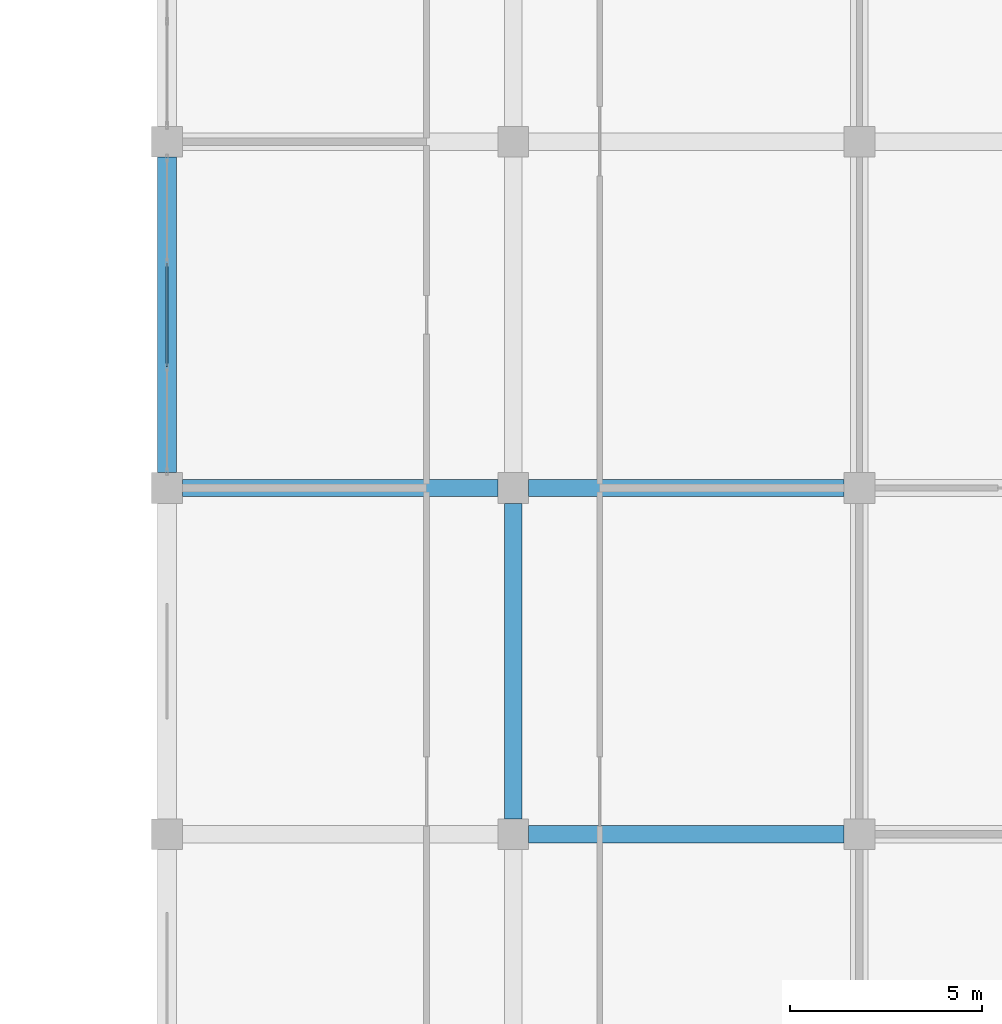
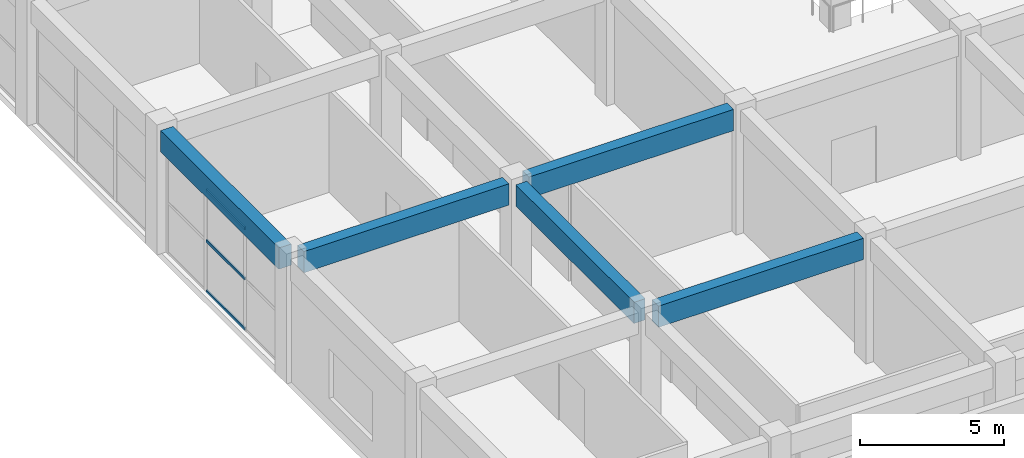
# One storey, part 71 of 185: 5 beams, 3 members, 1 element without a shape of its own.
"""IFC4 building model written with IfcOpenShell, lengths in metres."""

import ifcopenshell
import ifcopenshell.guid

model = None  # the IFC model being written
_history = None  # IfcOwnerHistory: only IFC2X3 demands one
_inside = {}  # id of a spatial element -> (the spatial element, [elements in it])
_under = {}  # id of a project, library or spatial element -> (it, [spatial elements below it])
_declared = {}  # id of a project -> (the project, [libraries it declares])
_typed = {}  # id of a type object -> (the type object, [elements of that type])
_made_of = {}  # id of a material, layer set ... -> (it, [elements and type objects made of it])


def new_model(schema):
    """Start an empty IFC model of exactly this schema.

    Asked for "IFC4X3", IfcOpenShell would pick the latest addendum, in which some entities
    have other attributes; the version numbers below select the first issue.
    IFC2X3 requires an IfcOwnerHistory on every rooted entity: one is made here for all.
    """
    global model, _history
    if schema == "IFC4X3":
        model = ifcopenshell.file(schema_version=(4, 3, 0, 0))
    else:
        model = ifcopenshell.file(schema=schema)
    _inside.clear()
    _under.clear()
    _declared.clear()
    _typed.clear()
    _made_of.clear()
    _history = None
    if model.schema == "IFC2X3":
        org = make("IfcOrganization", Name="unknown")
        user = make(
            "IfcPersonAndOrganization",
            ThePerson=make("IfcPerson", FamilyName="unknown"),
            TheOrganization=org,
        )
        app = make(
            "IfcApplication",
            ApplicationDeveloper=org,
            Version="unknown",
            ApplicationFullName="unknown",
            ApplicationIdentifier="unknown",
        )
        _history = make(
            "IfcOwnerHistory",
            OwningUser=user,
            OwningApplication=app,
            ChangeAction="ADDED",
            CreationDate=0,
        )
    return model


def make(cls, **values):
    """One entity of the class cls with the attributes given. An attribute that is None is left unset."""
    return model.create_entity(
        cls, **{name: value for name, value in values.items() if value is not None}
    )


def rooted(cls, **values):
    """An entity with a GlobalId (a new one), such as an element, a storey or a relation."""
    return make(cls, GlobalId=ifcopenshell.guid.new(), OwnerHistory=_history, **values)


def si_unit(unit_type, name, prefix=None):
    """IfcSIUnit, for example si_unit("LENGTHUNIT", "METRE", prefix="MILLI")."""
    return make("IfcSIUnit", UnitType=unit_type, Prefix=prefix, Name=name)


def assignment(units):
    """IfcUnitAssignment: the units of a project."""
    return None if units is None else make("IfcUnitAssignment", Units=units)


def point(xyz):
    """IfcCartesianPoint."""
    return None if xyz is None else make("IfcCartesianPoint", Coordinates=xyz)


def direction(xyz):
    """IfcDirection."""
    return None if xyz is None else make("IfcDirection", DirectionRatios=xyz)


def frame(location, z_axis=None, x_axis=None):
    """IfcAxis2Placement3D, a coordinate frame: its origin and axes. An axis left out is left unset."""
    return make(
        "IfcAxis2Placement3D",
        Location=point(location),
        Axis=direction(z_axis),
        RefDirection=direction(x_axis),
    )


def frame_2d(location, x_axis=None):
    """IfcAxis2Placement2D, a coordinate frame in the plane: its origin and x axis."""
    return make(
        "IfcAxis2Placement2D", Location=point(location), RefDirection=direction(x_axis)
    )


def origin():
    """The frame at (0, 0, 0) with its axes left unset."""
    return frame((0.0, 0.0, 0.0))


def origin_2d():
    """The frame at (0, 0) in the plane with its x axis left unset."""
    return frame_2d((0.0, 0.0))


def place(relative_to, where):
    """IfcLocalPlacement: puts the frame where relative to a parent placement (None: the world)."""
    return make(
        "IfcLocalPlacement", PlacementRelTo=relative_to, RelativePlacement=where
    )


def context(
    kind, dimensions, precision=None, world=None, true_north=None, identifier=None
):
    """IfcGeometricRepresentationContext, for example the 3D "Model" context."""
    return make(
        "IfcGeometricRepresentationContext",
        ContextIdentifier=identifier,
        ContextType=kind,
        CoordinateSpaceDimension=dimensions,
        Precision=precision,
        WorldCoordinateSystem=world,
        TrueNorth=true_north,
    )


def subcontext(parent, identifier, kind, view, scale=None):
    """IfcGeometricRepresentationSubContext, for example "Body" below "Model"."""
    return make(
        "IfcGeometricRepresentationSubContext",
        ContextIdentifier=identifier,
        ContextType=kind,
        ParentContext=parent,
        TargetScale=scale,
        TargetView=view,
    )


def project(units=None, contexts=None):
    """IfcProject with its units and contexts."""
    return rooted(
        "IfcProject",
        Name="project",
        RepresentationContexts=contexts,
        UnitsInContext=assignment(units),
    )


def spatial(cls, under=None, at=None, **own):
    """A site, building, storey or space (cls), placed at a placement, below another one or the project."""
    s = rooted(cls, ObjectPlacement=at, **own)
    if under is not None:
        _under.setdefault(under.id(), (under, []))[1].append(s)
    return s


def profile(cls, at=None, kind="AREA", **sizes):
    """A parametric profile (cls). Its sizes go by their IFC names, for example OverallWidth=200.0."""
    return make(cls, ProfileType=kind, Position=at, **sizes)


def rectangle(**sizes):
    """IfcRectangleProfileDef."""
    return profile("IfcRectangleProfileDef", **sizes)


def hollow_rectangle(**sizes):
    """IfcRectangleHollowProfileDef."""
    return profile("IfcRectangleHollowProfileDef", **sizes)


def extrude(swept, where, along, depth):
    """IfcExtrudedAreaSolid: the profile swept, set in the frame where, extruded along a direction by depth."""
    return make(
        "IfcExtrudedAreaSolid",
        SweptArea=swept,
        Position=where,
        ExtrudedDirection=direction(along),
        Depth=depth,
    )


def shape(context_of_items, identifier, shape_type, items):
    """IfcShapeRepresentation: the items that make up one representation, for example the "Body"."""
    return make(
        "IfcShapeRepresentation",
        ContextOfItems=context_of_items,
        RepresentationIdentifier=identifier,
        RepresentationType=shape_type,
        Items=items,
    )


def material(Name=None, Category=None):
    """IfcMaterial."""
    return make("IfcMaterial", Name=Name, Category=Category)


def layer(
    of_material, thickness, ventilated=None, Name=None, Category=None, Priority=None
):
    """IfcMaterialLayer: one layer of a wall or slab, of a material (None: an air gap)."""
    return make(
        "IfcMaterialLayer",
        Material=of_material,
        LayerThickness=thickness,
        IsVentilated=ventilated,
        Name=Name,
        Category=Category,
        Priority=Priority,
    )


def layer_set(layers, Name=None):
    """IfcMaterialLayerSet."""
    return make("IfcMaterialLayerSet", MaterialLayers=layers, LayerSetName=Name)


def material_profile(
    of_material, cross_section, Name=None, Category=None, Priority=None
):
    """IfcMaterialProfile: a cross section and its material."""
    return make(
        "IfcMaterialProfile",
        Name=Name,
        Material=of_material,
        Profile=cross_section,
        Priority=Priority,
        Category=Category,
    )


def profile_set(profiles, Name=None, composite=None):
    """IfcMaterialProfileSet."""
    return make(
        "IfcMaterialProfileSet",
        Name=Name,
        MaterialProfiles=profiles,
        CompositeProfile=composite,
    )


def made_of(thing, what):
    """Note that an element or type object is made of a material, layer set ...; save() writes the relation."""
    if what is not None:
        _made_of.setdefault(what.id(), (what, []))[1].append(thing)
    return thing


def type_object(cls, material=None, **own):
    """A type object (cls), such as IfcWallType, which elements share."""
    return made_of(rooted(cls, **own), material)


def element(
    cls,
    number,
    at=None,
    inside=None,
    cuts=None,
    type_object=None,
    material=None,
    context=None,
    identifier="Body",
    shape_type=None,
    held_by="IfcProductDefinitionShape",
    body=None,
    shapes=None,
    **own,
):
    """One element of the class cls, such as IfcWall. Its Tag is "e" and its number.

    at: its placement. inside: the storey or other place that contains it. cuts: it is an
    opening in that element (IfcRelVoidsElement). A single representation is given by context,
    identifier, shape_type and body (its items); several are given by shapes. held_by: the class
    of the entity that holds the representations. save() writes the other relations.
    """
    e = rooted(cls, Tag="e%d" % number, ObjectPlacement=at, **own)
    if body is not None:
        shapes = [shape(context, identifier, shape_type, body)]
    if shapes is not None:
        e.Representation = make(held_by, Representations=shapes)
    if inside is not None:
        _inside.setdefault(inside.id(), (inside, []))[1].append(e)
    if cuts is not None:
        rooted(
            "IfcRelVoidsElement", RelatingBuildingElement=cuts, RelatedOpeningElement=e
        )
    if type_object is not None:
        _typed.setdefault(type_object.id(), (type_object, []))[1].append(e)
    return made_of(e, material)


def aggregate(whole, parts):
    """IfcRelAggregates: a whole, such as a stair, and the parts it consists of."""
    return rooted("IfcRelAggregates", RelatingObject=whole, RelatedObjects=parts)


def save(model, path):
    """Write the relations noted so far, then the file.

    IfcRelAggregates (storeys below a building ...), IfcRelContainedInSpatialStructure (elements
    in a storey), IfcRelDefinesByType, IfcRelAssociatesMaterial and IfcRelDeclares: one each for
    every whole, place, type object, material and project.
    """
    for whole, parts in _under.values():
        aggregate(whole, parts)
    for where, things in _inside.values():
        rooted(
            "IfcRelContainedInSpatialStructure",
            RelatedElements=things,
            RelatingStructure=where,
        )
    for kind, things in _typed.values():
        rooted("IfcRelDefinesByType", RelatedObjects=things, RelatingType=kind)
    for what, things in _made_of.values():
        rooted("IfcRelAssociatesMaterial", RelatedObjects=things, RelatingMaterial=what)
    for by, libraries in _declared.values():
        rooted("IfcRelDeclares", RelatingContext=by, RelatedDefinitions=libraries)
    model.write(path)


model = new_model("IFC4")

# Units and contexts
model_context = context("Model", 3, precision=1e-05, world=origin(), true_north=direction((0.0, 1.0)))
body_context = subcontext(model_context, "Body", "Model", "MODEL_VIEW")
ifc_project = project(units=[si_unit("LENGTHUNIT", "METRE"), si_unit("AREAUNIT", "SQUARE_METRE"), si_unit("VOLUMEUNIT", "CUBIC_METRE"), si_unit("PLANEANGLEUNIT", "RADIAN"), si_unit("MASSUNIT", "GRAM", prefix="KILO")], contexts=[model_context])

# Site, building, storey
site_placement = place(None, origin())
site = spatial("IfcSite", under=ifc_project, at=site_placement, CompositionType="ELEMENT")
building_placement = place(site_placement, origin())
building = spatial("IfcBuilding", under=site, at=building_placement, Name="Opaline Strait Convention Centre", CompositionType="ELEMENT")
storey_placement = place(building_placement, frame((0.0, 0.0, 6.0)))
storey = spatial("IfcBuildingStorey", under=building, at=storey_placement, Name="L01", CompositionType="ELEMENT", Elevation=6.0)

# Curtain wall, members
ifc_material_1 = material(Name="Aluminium framed double glazing", Category="aluminium")
ifc_layer = layer(ifc_material_1, 0.199951171875)
ifc_layer_set = layer_set([ifc_layer], Name="Aluminium framed double glazing")
curtain_wall_type = type_object("IfcCurtainWallType", Name="Curtain wall 3000 module unitised", PredefinedType="NOTDEFINED", material=ifc_layer_set)
curtain_wall_placement = place(storey_placement, origin())
curtain_wall = element("IfcCurtainWall", 1, at=curtain_wall_placement, inside=storey, type_object=curtain_wall_type, Name="Curtain wall W L01 32/P", PredefinedType="NOTDEFINED")
ifc_material_2 = material(Name="Aluminium alloy 6063", Category="aluminium")
ifc_material_profile_1 = material_profile(ifc_material_2, hollow_rectangle(XDim=0.06005859375, YDim=0.1201171875, WallThickness=0.0029296875, at=origin_2d()), Name="TRANSOM 60x120x3")
ifc_profile_set_1 = profile_set([ifc_material_profile_1], Name="Aluminium alloy 6063")
member_type = type_object("IfcMemberType", Name="Curtain wall transom 60 x 120", PredefinedType="USERDEFINED", material=ifc_profile_set_1)
member_1_placement = place(storey_placement, frame((279.0, 120.163330078125, 0.030029296875), z_axis=(0.0, 1.0, 0.0), x_axis=(-1.0, 0.0, 0.0)))
member_1 = element("IfcMember", 2, at=member_1_placement, type_object=member_type, Name="MCWR1 transom 2.1", ObjectType="TRANSOM", PredefinedType="USERDEFINED", context=body_context, shape_type="SweptSolid", body=[
    extrude(hollow_rectangle(XDim=0.06005859375, YDim=0.1201171875, WallThickness=0.0029296875, at=origin_2d()), origin(), (0.0, 0.0, 1.0), 2.67333984375),
])
member_2_placement = place(storey_placement, frame((279.0, 120.163330078125, 2.159912109375), z_axis=(0.0, 1.0, 0.0), x_axis=(-1.0, 0.0, 0.0)))
member_2 = element("IfcMember", 3, at=member_2_placement, type_object=member_type, Name="MCWR1 transom 2.2", ObjectType="TRANSOM", PredefinedType="USERDEFINED", context=body_context, shape_type="SweptSolid", body=[
    extrude(hollow_rectangle(XDim=0.06005859375, YDim=0.1201171875, WallThickness=0.0029296875, at=origin_2d()), origin(), (0.0, 0.0, 1.0), 2.67333984375),
])
member_3_placement = place(storey_placement, frame((279.0, 120.163330078125, 4.2900390625), z_axis=(0.0, 1.0, 0.0), x_axis=(-1.0, 0.0, 0.0)))
member_3 = element("IfcMember", 4, at=member_3_placement, type_object=member_type, Name="MCWR1 transom 2.3", ObjectType="TRANSOM", PredefinedType="USERDEFINED", context=body_context, shape_type="SweptSolid", body=[
    extrude(hollow_rectangle(XDim=0.06005859375, YDim=0.1201171875, WallThickness=0.0029296875, at=origin_2d()), origin(), (0.0, 0.0, 1.0), 2.67333984375),
])
aggregate(curtain_wall, [member_1, member_2, member_3])

# Beams
ifc_material_3 = material(Name="Concrete C35", Category="concrete")
ifc_material_profile_2 = material_profile(ifc_material_3, rectangle(XDim=0.449951171875, YDim=0.89990234375, at=origin_2d()), Name="RC 450x900")
ifc_profile_set_2 = profile_set([ifc_material_profile_2], Name="Concrete C35")
beam_type_1 = type_object("IfcBeamType", Name="RC beam 450x900 C35", PredefinedType="BEAM", material=ifc_profile_set_2)
for number, where, z_axis, x_axis, name in (
    (5, (288.39990234375, 108.0, 4.77001953125), (1.0, 0.0, 0.0), (0.0, 1.0, 0.0), "XB1 L01 33/N-34/N"),
    (6, (279.39990234375, 117.0, 4.77001953125), (1.0, 0.0, 0.0), (0.0, 1.0, 0.0), "XB1 L01 32/P-33/P"),
    (7, (288.39990234375, 117.0, 4.77001953125), (1.0, 0.0, 0.0), (0.0, 1.0, 0.0), "XB1 L01 33/P-34/P"),
    (8, (288.0, 108.39990234375, 4.77001953125), (0.0, 1.0, 0.0), (-1.0, 0.0, 0.0), "XB1 L01 33/N-33/P"),
):
    element("IfcBeam", number, at=place(storey_placement, frame(where, z_axis=z_axis, x_axis=x_axis)), inside=storey, type_object=beam_type_1, Name=name, PredefinedType="BEAM", context=body_context, shape_type="SweptSolid", body=[
        extrude(rectangle(XDim=0.449951171875, YDim=0.89990234375, at=origin_2d()), origin(), (0.0, 0.0, 1.0), 8.2001953125),
    ])
ifc_material_profile_3 = material_profile(ifc_material_3, rectangle(XDim=0.5, YDim=0.89990234375, at=origin_2d()), Name="RC 500x900")
ifc_profile_set_3 = profile_set([ifc_material_profile_3], Name="Concrete C35")
beam_type_2 = type_object("IfcBeamType", Name="RC edge beam 500x900 C35", PredefinedType="BEAM", material=ifc_profile_set_3)
beam_placement = place(storey_placement, frame((279.0, 117.39990234375, 4.77001953125), z_axis=(0.0, 1.0, 0.0), x_axis=(-1.0, 0.0, 0.0)))
element("IfcBeam", 9, at=beam_placement, inside=storey, type_object=beam_type_2, Name="MRB2 L01 32/P-32/Q", PredefinedType="BEAM", context=body_context, shape_type="SweptSolid", body=[
    extrude(rectangle(XDim=0.5, YDim=0.89990234375, at=origin_2d()), origin(), (0.0, 0.0, 1.0), 8.2001953125),
])

save(model, "model.ifc")
